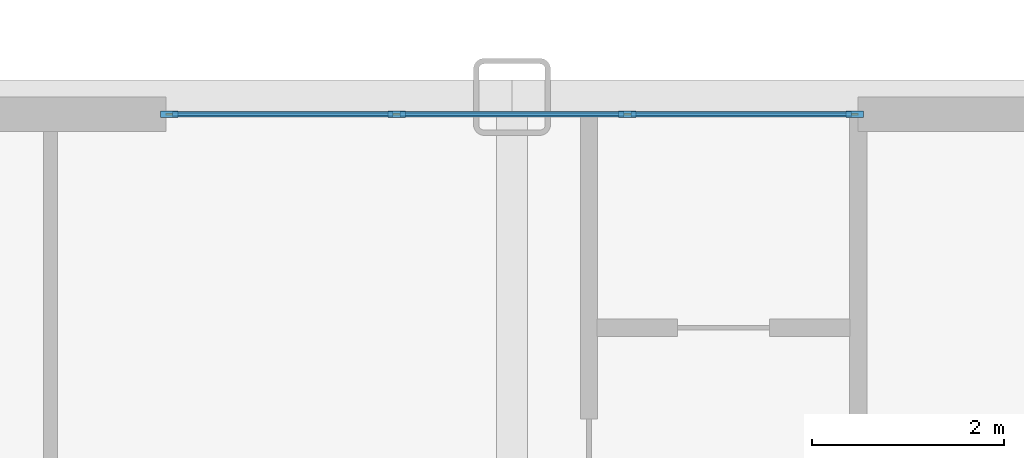
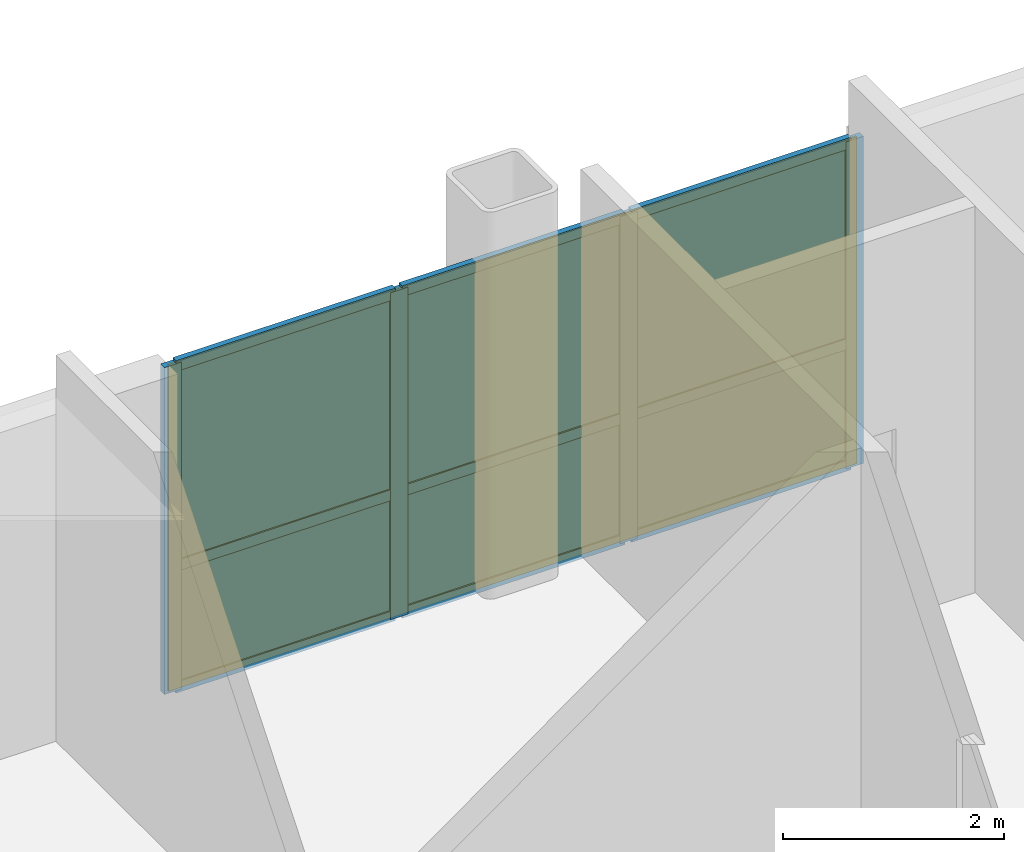
# One storey, part 11 of 15: 13 members, 6 plates, 1 curtain wall.
"""IFC4 building model written with IfcOpenShell, lengths in metres."""

from ifc_helpers import new_model, si_unit, direction, frame, frame_2d, origin, origin_2d, place, context, subcontext, project, spatial, rectangle, extrude, source, transform, mapped, material, layer, layer_set, material_profile, profile_set, type_object, type_shapes, element, aggregate, save


model = new_model("IFC4")

# Units and contexts
model_context = context("Model", 3, precision=1e-05, world=origin(), true_north=direction((0.0, 1.0)))
body_context = subcontext(model_context, "Body", "Model", "MODEL_VIEW")
ifc_project = project(units=[si_unit("LENGTHUNIT", "METRE"), si_unit("AREAUNIT", "SQUARE_METRE"), si_unit("VOLUMEUNIT", "CUBIC_METRE"), si_unit("PLANEANGLEUNIT", "RADIAN"), si_unit("MASSUNIT", "GRAM", prefix="KILO")], contexts=[model_context])

# Member
ifc_material_1 = material(Name="Anodised aluminium 6063-T6", Category="aluminium")
ifc_material_profile_1 = material_profile(ifc_material_1, rectangle(XDim=0.070068359375, YDim=0.179931640625, at=origin_2d()), Name="ALU-MULL-70x180")
ifc_profile_set_1 = profile_set([ifc_material_profile_1], Name="Anodised aluminium 6063-T6")
member_type_1 = type_object("IfcMemberType", Name="CWM-2", PredefinedType="MULLION", material=ifc_profile_set_1)
site_placement = place(None, origin())
building_placement = place(site_placement, origin())
storey_placement = place(building_placement, frame((0.0, 0.0, 9.199951171875)))
member_1_placement = place(storey_placement, frame((15.43505859375, 25.820068359375, 0.0), z_axis=(0.0, 0.0, 1.0), x_axis=(0.0, 1.0, 0.0)))
member_1 = element("IfcMember", 1, at=member_1_placement, type_object=member_type_1, Name="CWS-2 mullion 1", PredefinedType="MULLION", context=body_context, shape_type="SweptSolid", body=[
    extrude(rectangle(XDim=0.070068359375, YDim=0.179931640625, at=origin_2d()), origin(), (0.0, 0.0, 1.0), 3.614990234375),
])

member_2_placement = place(storey_placement, frame((17.800048828125, 25.820068359375, 0.0), z_axis=(0.0, 0.0, 1.0), x_axis=(0.0, 1.0, 0.0)))
member_2 = element("IfcMember", 2, at=member_2_placement, type_object=member_type_1, Name="CWS-2 mullion 2", PredefinedType="MULLION", context=body_context, shape_type="SweptSolid", body=[
    extrude(rectangle(XDim=0.070068359375, YDim=0.179931640625, at=origin_2d()), origin(), (0.0, 0.0, 1.0), 3.614990234375),
])

member_3_placement = place(storey_placement, frame((20.199951171875, 25.820068359375, 0.0), z_axis=(0.0, 0.0, 1.0), x_axis=(0.0, 1.0, 0.0)))
member_3 = element("IfcMember", 3, at=member_3_placement, type_object=member_type_1, Name="CWS-2 mullion 3", PredefinedType="MULLION", context=body_context, shape_type="SweptSolid", body=[
    extrude(rectangle(XDim=0.070068359375, YDim=0.179931640625, at=origin_2d()), origin(), (0.0, 0.0, 1.0), 3.614990234375),
])

member_4_placement = place(storey_placement, frame((22.56494140625, 25.820068359375, 0.0), z_axis=(0.0, 0.0, 1.0), x_axis=(0.0, 1.0, 0.0)))
member_4 = element("IfcMember", 4, at=member_4_placement, type_object=member_type_1, Name="CWS-2 mullion 4", PredefinedType="MULLION", context=body_context, shape_type="SweptSolid", body=[
    extrude(rectangle(XDim=0.070068359375, YDim=0.179931640625, at=origin_2d()), origin(), (0.0, 0.0, 1.0), 3.614990234375),
])

ifc_material_profile_2 = material_profile(ifc_material_1, rectangle(XDim=0.06005859375, YDim=0.1201171875, at=origin_2d()), Name="ALU-TRAN-60x120")
ifc_profile_set_2 = profile_set([ifc_material_profile_2], Name="Anodised aluminium 6063-T6")
member_type_2 = type_object("IfcMemberType", Name="CWT-2", PredefinedType="USERDEFINED", material=ifc_profile_set_2)
member_5_placement = place(storey_placement, frame((15.469970703125, 25.820068359375, 0.030029296875), z_axis=(1.0, 0.0, 0.0), x_axis=(0.0, 1.0, 0.0)))
member_5 = element("IfcMember", 5, at=member_5_placement, type_object=member_type_2, Name="CWS-2 transom 1.1", ObjectType="TRANSOM", PredefinedType="USERDEFINED", context=body_context, shape_type="SweptSolid", body=[
    extrude(rectangle(XDim=0.06005859375, YDim=0.1201171875, at=origin_2d()), origin(), (0.0, 0.0, 1.0), 2.294921875),
])

member_6_placement = place(storey_placement, frame((15.469970703125, 25.820068359375, 1.373779296875), z_axis=(1.0, 0.0, 0.0), x_axis=(0.0, 1.0, 0.0)))
member_6 = element("IfcMember", 6, at=member_6_placement, type_object=member_type_2, Name="CWS-2 transom 1.2", ObjectType="TRANSOM", PredefinedType="USERDEFINED", context=body_context, shape_type="SweptSolid", body=[
    extrude(rectangle(XDim=0.06005859375, YDim=0.1201171875, at=origin_2d()), origin(), (0.0, 0.0, 1.0), 2.294921875),
])

member_7_placement = place(storey_placement, frame((15.469970703125, 25.820068359375, 3.5849609375), z_axis=(1.0, 0.0, 0.0), x_axis=(0.0, 1.0, 0.0)))
member_7 = element("IfcMember", 7, at=member_7_placement, type_object=member_type_2, Name="CWS-2 transom 1.3", ObjectType="TRANSOM", PredefinedType="USERDEFINED", context=body_context, shape_type="SweptSolid", body=[
    extrude(rectangle(XDim=0.06005859375, YDim=0.1201171875, at=origin_2d()), origin(), (0.0, 0.0, 1.0), 2.294921875),
])

member_8_placement = place(storey_placement, frame((17.8349609375, 25.820068359375, 0.030029296875), z_axis=(1.0, 0.0, 0.0), x_axis=(0.0, 1.0, 0.0)))
member_8 = element("IfcMember", 8, at=member_8_placement, type_object=member_type_2, Name="CWS-2 transom 2.1", ObjectType="TRANSOM", PredefinedType="USERDEFINED", context=body_context, shape_type="SweptSolid", body=[
    extrude(rectangle(XDim=0.06005859375, YDim=0.1201171875, at=origin_2d()), origin(), (0.0, 0.0, 1.0), 2.330078125),
])

member_9_placement = place(storey_placement, frame((17.8349609375, 25.820068359375, 1.373779296875), z_axis=(1.0, 0.0, 0.0), x_axis=(0.0, 1.0, 0.0)))
member_9 = element("IfcMember", 9, at=member_9_placement, type_object=member_type_2, Name="CWS-2 transom 2.2", ObjectType="TRANSOM", PredefinedType="USERDEFINED", context=body_context, shape_type="SweptSolid", body=[
    extrude(rectangle(XDim=0.06005859375, YDim=0.1201171875, at=origin_2d()), origin(), (0.0, 0.0, 1.0), 2.330078125),
])

member_10_placement = place(storey_placement, frame((17.8349609375, 25.820068359375, 3.5849609375), z_axis=(1.0, 0.0, 0.0), x_axis=(0.0, 1.0, 0.0)))
member_10 = element("IfcMember", 10, at=member_10_placement, type_object=member_type_2, Name="CWS-2 transom 2.3", ObjectType="TRANSOM", PredefinedType="USERDEFINED", context=body_context, shape_type="SweptSolid", body=[
    extrude(rectangle(XDim=0.06005859375, YDim=0.1201171875, at=origin_2d()), origin(), (0.0, 0.0, 1.0), 2.330078125),
])

member_11_placement = place(storey_placement, frame((20.235107421875, 25.820068359375, 0.030029296875), z_axis=(1.0, 0.0, 0.0), x_axis=(0.0, 1.0, 0.0)))
member_11 = element("IfcMember", 11, at=member_11_placement, type_object=member_type_2, Name="CWS-2 transom 3.1", ObjectType="TRANSOM", PredefinedType="USERDEFINED", context=body_context, shape_type="SweptSolid", body=[
    extrude(rectangle(XDim=0.06005859375, YDim=0.1201171875, at=origin_2d()), origin(), (0.0, 0.0, 1.0), 2.294921875),
])

member_12_placement = place(storey_placement, frame((20.235107421875, 25.820068359375, 1.373779296875), z_axis=(1.0, 0.0, 0.0), x_axis=(0.0, 1.0, 0.0)))
member_12 = element("IfcMember", 12, at=member_12_placement, type_object=member_type_2, Name="CWS-2 transom 3.2", ObjectType="TRANSOM", PredefinedType="USERDEFINED", context=body_context, shape_type="SweptSolid", body=[
    extrude(rectangle(XDim=0.06005859375, YDim=0.1201171875, at=origin_2d()), origin(), (0.0, 0.0, 1.0), 2.294921875),
])

member_13_placement = place(storey_placement, frame((20.235107421875, 25.820068359375, 3.5849609375), z_axis=(1.0, 0.0, 0.0), x_axis=(0.0, 1.0, 0.0)))
member_13 = element("IfcMember", 13, at=member_13_placement, type_object=member_type_2, Name="CWS-2 transom 3.3", ObjectType="TRANSOM", PredefinedType="USERDEFINED", context=body_context, shape_type="SweptSolid", body=[
    extrude(rectangle(XDim=0.06005859375, YDim=0.1201171875, at=origin_2d()), origin(), (0.0, 0.0, 1.0), 2.294921875),
])

# Plate
ifc_material_2 = material(Name="Insulated solar-control glass", Category="glass")
ifc_layer_1 = layer(ifc_material_2, 0.030029296875, Name="CWP-2")
ifc_layer_set_1 = layer_set([ifc_layer_1], Name="Insulated solar-control glass")
plate_type = type_object("IfcPlateType", Name="CWP-2", PredefinedType="CURTAIN_PANEL", material=ifc_layer_set_1)
shared_shape_1 = source(origin(), body_context, "Body", "SweptSolid", [
    extrude(rectangle(XDim=2.294921875, YDim=0.030029296875, at=origin_2d()), origin(), (0.0, 0.0, 1.0), 1.28369140625),
])
plate_1_placement = place(storey_placement, frame((16.617431640625, 25.820068359375, 0.06005859375), z_axis=(0.0, 0.0, 1.0), x_axis=(1.0, 0.0, 0.0)))
plate_1 = element("IfcPlate", 14, at=plate_1_placement, type_object=plate_type, Name="CWS-2 panel 1.1", PredefinedType="CURTAIN_PANEL", context=body_context, shape_type="MappedRepresentation", body=[
    mapped(shared_shape_1, transform((0.0, 0.0, 0.0), scale=1.0)),
])

plate_2_placement = place(storey_placement, frame((21.382568359375, 25.820068359375, 0.06005859375), z_axis=(0.0, 0.0, 1.0), x_axis=(1.0, 0.0, 0.0)))
plate_2 = element("IfcPlate", 15, at=plate_2_placement, type_object=plate_type, Name="CWS-2 panel 3.1", PredefinedType="CURTAIN_PANEL", context=body_context, shape_type="MappedRepresentation", body=[
    mapped(shared_shape_1, transform((0.0, 0.0, 0.0), scale=1.0)),
])

shared_shape_2 = source(origin(), body_context, "Body", "SweptSolid", [
    extrude(rectangle(XDim=2.294921875, YDim=0.030029296875, at=origin_2d()), origin(), (0.0, 0.0, 1.0), 2.1513671875),
])
plate_3_placement = place(storey_placement, frame((16.617431640625, 25.820068359375, 1.40380859375), z_axis=(0.0, 0.0, 1.0), x_axis=(1.0, 0.0, 0.0)))
plate_3 = element("IfcPlate", 16, at=plate_3_placement, type_object=plate_type, Name="CWS-2 panel 1.2", PredefinedType="CURTAIN_PANEL", context=body_context, shape_type="MappedRepresentation", body=[
    mapped(shared_shape_2, transform((0.0, 0.0, 0.0), scale=1.0)),
])

plate_4_placement = place(storey_placement, frame((21.382568359375, 25.820068359375, 1.40380859375), z_axis=(0.0, 0.0, 1.0), x_axis=(1.0, 0.0, 0.0)))
plate_4 = element("IfcPlate", 17, at=plate_4_placement, type_object=plate_type, Name="CWS-2 panel 3.2", PredefinedType="CURTAIN_PANEL", context=body_context, shape_type="MappedRepresentation", body=[
    mapped(shared_shape_2, transform((0.0, 0.0, 0.0), scale=1.0)),
])

shared_shape_3 = source(origin(), body_context, "Body", "SweptSolid", [
    extrude(rectangle(XDim=2.330078125, YDim=0.030029296875, at=origin_2d()), origin(), (0.0, 0.0, 1.0), 1.28369140625),
])
plate_5_placement = place(storey_placement, frame((19.0, 25.820068359375, 0.06005859375), z_axis=(0.0, 0.0, 1.0), x_axis=(1.0, 0.0, 0.0)))
plate_5 = element("IfcPlate", 18, at=plate_5_placement, type_object=plate_type, Name="CWS-2 panel 2.1", PredefinedType="CURTAIN_PANEL", context=body_context, shape_type="MappedRepresentation", body=[
    mapped(shared_shape_3, transform((0.0, 0.0, 0.0), scale=1.0)),
])

shared_shape_4 = source(origin(), body_context, "Body", "SweptSolid", [
    extrude(rectangle(XDim=2.330078125, YDim=0.030029296875, at=origin_2d()), origin(), (0.0, 0.0, 1.0), 2.1513671875),
])
type_shapes(plate_type, [shared_shape_1, shared_shape_2, shared_shape_3, shared_shape_4])
plate_6_placement = place(storey_placement, frame((19.0, 25.820068359375, 1.40380859375), z_axis=(0.0, 0.0, 1.0), x_axis=(1.0, 0.0, 0.0)))
plate_6 = element("IfcPlate", 19, at=plate_6_placement, type_object=plate_type, Name="CWS-2 panel 2.2", PredefinedType="CURTAIN_PANEL", context=body_context, shape_type="MappedRepresentation", body=[
    mapped(shared_shape_4, transform((0.0, 0.0, 0.0), scale=1.0)),
])

# Site, building, storey
site = spatial("IfcSite", under=ifc_project, at=site_placement, CompositionType="ELEMENT")
building = spatial("IfcBuilding", under=site, at=building_placement, Name="Nuvemarco Arch Tower", CompositionType="ELEMENT")
storey = spatial("IfcBuildingStorey", under=building, at=storey_placement, Name="L02", CompositionType="ELEMENT", Elevation=9.199951171875)

# Curtain wall
ifc_layer_2 = layer(ifc_material_2, 0.179931640625, Name="CW-SYS-2")
ifc_layer_set_2 = layer_set([ifc_layer_2], Name="Insulated solar-control glass")
curtain_wall_type = type_object("IfcCurtainWallType", Name="CW-SYS-2", PredefinedType="NOTDEFINED", material=ifc_layer_set_2)
curtain_wall_placement = place(storey_placement, frame((15.39990234375, 25.820068359375, 0.0), z_axis=(0.0, 0.0, 1.0), x_axis=(1.0, 0.0, 0.0)))
curtain_wall = element("IfcCurtainWall", 20, at=curtain_wall_placement, inside=storey, type_object=curtain_wall_type, Name="L02 curtain wall CWS-2", PredefinedType="NOTDEFINED", context=body_context, shape_type="SweptSolid", body=[
    extrude(rectangle(XDim=7.2001953125, YDim=0.02001953125, at=frame_2d((3.60009765625, 0.0))), origin(), (0.0, 0.0, 1.0), 3.614990234375),
])

aggregate(curtain_wall, [member_1, member_2, member_3, member_4, member_5, member_6, member_7, plate_1, plate_3, member_8, member_9, member_10, plate_5, plate_6, member_11, member_12, member_13, plate_2, plate_4])

save(model, "model.ifc")
